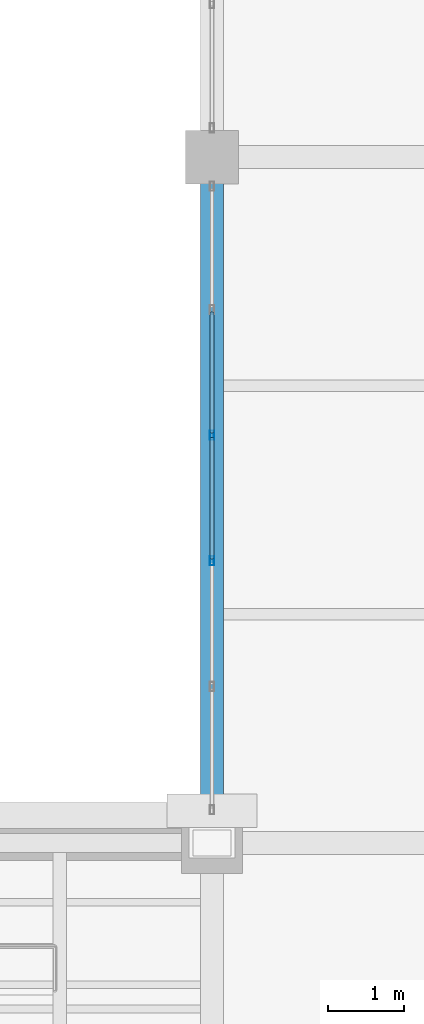
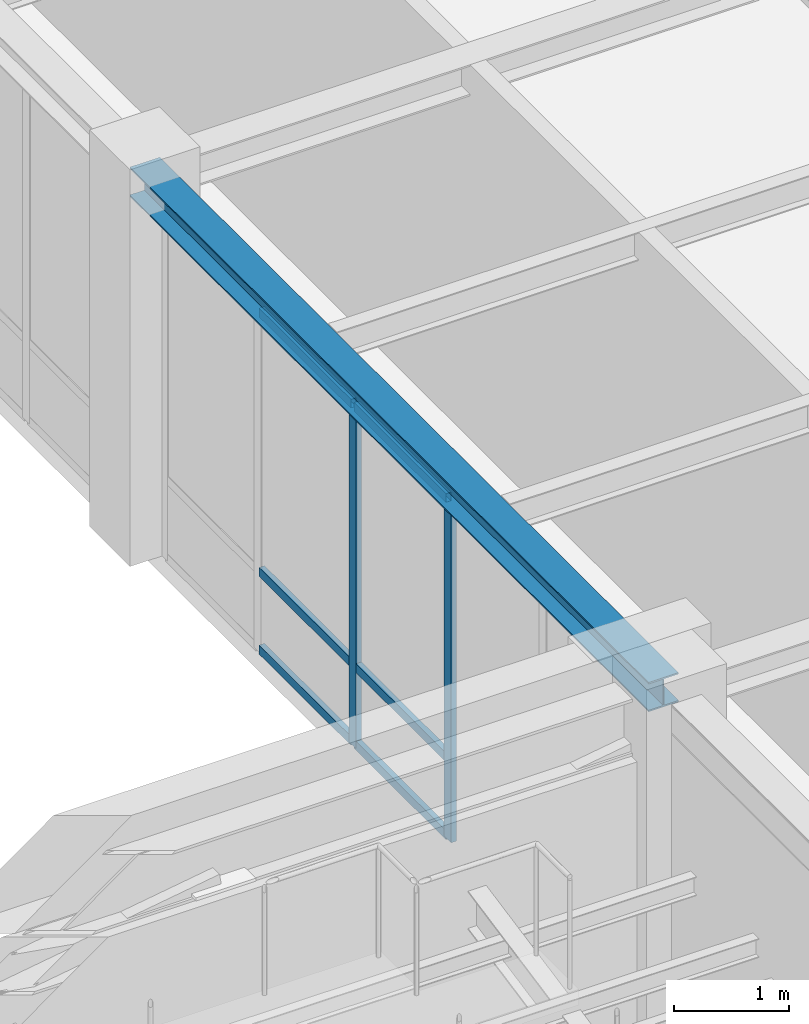
# One storey, part 36 of 108: 8 members, 1 beam, 1 element without a shape of its own.
"""IFC4 building model written with IfcOpenShell, lengths in metres."""

from ifc_helpers import new_model, si_unit, direction, frame, origin, origin_2d, place, context, subcontext, project, spatial, hollow_rectangle, i_section, extrude, material, material_profile, profile_set, type_object, element, aggregate, save


model = new_model("IFC4")

# Units and contexts
model_context = context("Model", 3, precision=1e-05, world=origin(), true_north=direction((0.0, 1.0)))
body_context = subcontext(model_context, "Body", "Model", "MODEL_VIEW")
ifc_project = project(units=[si_unit("LENGTHUNIT", "METRE"), si_unit("AREAUNIT", "SQUARE_METRE"), si_unit("VOLUMEUNIT", "CUBIC_METRE"), si_unit("PLANEANGLEUNIT", "RADIAN"), si_unit("MASSUNIT", "GRAM", prefix="KILO")], contexts=[model_context])

# Site, building, storey
site_placement = place(None, origin())
site = spatial("IfcSite", under=ifc_project, at=site_placement, CompositionType="ELEMENT")
building_placement = place(site_placement, origin())
building = spatial("IfcBuilding", under=site, at=building_placement, Name="Lykobir Media Centre", CompositionType="ELEMENT")
storey_placement = place(building_placement, frame((0.0, 0.0, 15.0)))
storey = spatial("IfcBuildingStorey", under=building, at=storey_placement, Name="L03", CompositionType="ELEMENT", Elevation=15.0)

# Curtain wall, members
ifc_material_1 = material(Name="Anodized Aluminium AW-6060", Category="aluminium")
curtain_wall_type = type_object("IfcCurtainWallType", Name="CW-COURT-B", PredefinedType="NOTDEFINED", material=ifc_material_1)
curtain_wall_placement = place(storey_placement, origin())
curtain_wall = element("IfcCurtainWall", 1, at=curtain_wall_placement, inside=storey, type_object=curtain_wall_type, Name="Curtain wall CW2-L03-0135", PredefinedType="NOTDEFINED")
ifc_material_profile_1 = material_profile(ifc_material_1, hollow_rectangle(XDim=0.054931640625, YDim=0.1201171875, WallThickness=0.003173828125, at=origin_2d()), Name="ALU MULLION 55x120")
ifc_profile_set_1 = profile_set([ifc_material_profile_1], Name="Anodized Aluminium AW-6060")
member_type_1 = type_object("IfcMemberType", Name="CWM-120", PredefinedType="MULLION", material=ifc_profile_set_1)
member_1_placement = place(storey_placement, frame((27.0, 48.700927734375, 0.0), z_axis=(0.0, 0.0, 1.0), x_axis=(-1.0, 0.0, 0.0)))
member_1 = element("IfcMember", 2, at=member_1_placement, type_object=member_type_1, Name="CW2-L03-0135 mullion 3", PredefinedType="MULLION", context=body_context, shape_type="SweptSolid", body=[
    extrude(hollow_rectangle(XDim=0.054931640625, YDim=0.1201171875, WallThickness=0.003173828125, at=origin_2d()), origin(), (0.0, 0.0, 1.0), 3.623046875),
])
member_2_placement = place(storey_placement, frame((27.0, 50.34912109375, 0.0), z_axis=(0.0, 0.0, 1.0), x_axis=(-1.0, 0.0, 0.0)))
member_2 = element("IfcMember", 3, at=member_2_placement, type_object=member_type_1, Name="CW2-L03-0135 mullion 4", PredefinedType="MULLION", context=body_context, shape_type="SweptSolid", body=[
    extrude(hollow_rectangle(XDim=0.054931640625, YDim=0.1201171875, WallThickness=0.003173828125, at=origin_2d()), origin(), (0.0, 0.0, 1.0), 3.623046875),
])
ifc_material_profile_2 = material_profile(ifc_material_1, hollow_rectangle(XDim=0.054931640625, YDim=0.094970703125, WallThickness=0.0029296875, at=origin_2d()), Name="ALU TRANSOM 55x95")
ifc_profile_set_2 = profile_set([ifc_material_profile_2], Name="Anodized Aluminium AW-6060")
member_type_2 = type_object("IfcMemberType", Name="CWT-095", PredefinedType="USERDEFINED", material=ifc_profile_set_2)
member_3_placement = place(storey_placement, frame((27.0, 48.728515625, 0.027587890625), z_axis=(0.0, 1.0, 0.0), x_axis=(-1.0, 0.0, 0.0)))
member_3 = element("IfcMember", 4, at=member_3_placement, type_object=member_type_2, Name="CW2-L03-0135 transom 3.1", ObjectType="TRANSOM", PredefinedType="USERDEFINED", context=body_context, shape_type="SweptSolid", body=[
    extrude(hollow_rectangle(XDim=0.054931640625, YDim=0.094970703125, WallThickness=0.0029296875, at=origin_2d()), origin(), (0.0, 0.0, 1.0), 1.593017578125),
])
member_4_placement = place(storey_placement, frame((27.0, 48.728515625, 0.85009765625), z_axis=(0.0, 1.0, 0.0), x_axis=(-1.0, 0.0, 0.0)))
member_4 = element("IfcMember", 5, at=member_4_placement, type_object=member_type_2, Name="CW2-L03-0135 transom 3.2", ObjectType="TRANSOM", PredefinedType="USERDEFINED", context=body_context, shape_type="SweptSolid", body=[
    extrude(hollow_rectangle(XDim=0.054931640625, YDim=0.094970703125, WallThickness=0.0029296875, at=origin_2d()), origin(), (0.0, 0.0, 1.0), 1.593017578125),
])
member_5_placement = place(storey_placement, frame((27.0, 48.728515625, 3.595458984375), z_axis=(0.0, 1.0, 0.0), x_axis=(-1.0, 0.0, 0.0)))
member_5 = element("IfcMember", 6, at=member_5_placement, type_object=member_type_2, Name="CW2-L03-0135 transom 3.3", ObjectType="TRANSOM", PredefinedType="USERDEFINED", context=body_context, shape_type="SweptSolid", body=[
    extrude(hollow_rectangle(XDim=0.054931640625, YDim=0.094970703125, WallThickness=0.0029296875, at=origin_2d()), origin(), (0.0, 0.0, 1.0), 1.593017578125),
])
member_6_placement = place(storey_placement, frame((27.0, 50.37646484375, 0.027587890625), z_axis=(0.0, 1.0, 0.0), x_axis=(-1.0, 0.0, 0.0)))
member_6 = element("IfcMember", 7, at=member_6_placement, type_object=member_type_2, Name="CW2-L03-0135 transom 4.1", ObjectType="TRANSOM", PredefinedType="USERDEFINED", context=body_context, shape_type="SweptSolid", body=[
    extrude(hollow_rectangle(XDim=0.054931640625, YDim=0.094970703125, WallThickness=0.0029296875, at=origin_2d()), origin(), (0.0, 0.0, 1.0), 1.593017578125),
])
member_7_placement = place(storey_placement, frame((27.0, 50.37646484375, 0.85009765625), z_axis=(0.0, 1.0, 0.0), x_axis=(-1.0, 0.0, 0.0)))
member_7 = element("IfcMember", 8, at=member_7_placement, type_object=member_type_2, Name="CW2-L03-0135 transom 4.2", ObjectType="TRANSOM", PredefinedType="USERDEFINED", context=body_context, shape_type="SweptSolid", body=[
    extrude(hollow_rectangle(XDim=0.054931640625, YDim=0.094970703125, WallThickness=0.0029296875, at=origin_2d()), origin(), (0.0, 0.0, 1.0), 1.593017578125),
])
member_8_placement = place(storey_placement, frame((27.0, 50.37646484375, 3.595458984375), z_axis=(0.0, 1.0, 0.0), x_axis=(-1.0, 0.0, 0.0)))
member_8 = element("IfcMember", 9, at=member_8_placement, type_object=member_type_2, Name="CW2-L03-0135 transom 4.3", ObjectType="TRANSOM", PredefinedType="USERDEFINED", context=body_context, shape_type="SweptSolid", body=[
    extrude(hollow_rectangle(XDim=0.054931640625, YDim=0.094970703125, WallThickness=0.0029296875, at=origin_2d()), origin(), (0.0, 0.0, 1.0), 1.593017578125),
])
aggregate(curtain_wall, [member_1, member_2, member_3, member_4, member_5, member_6, member_7, member_8])

# Beam
ifc_material_2 = material(Name="Steel S355", Category="steel")
ifc_material_profile_3 = material_profile(ifc_material_2, i_section(OverallWidth=0.300048828125, OverallDepth=0.31005859375, WebThickness=0.009033203125, FlangeThickness=0.015380859375, at=origin_2d()), Name="HEA 320")
ifc_profile_set_3 = profile_set([ifc_material_profile_3], Name="Steel S355")
beam_type = type_object("IfcBeamType", Name="SP-HEA320", PredefinedType="SPANDREL", material=ifc_profile_set_3)
beam_placement = place(storey_placement, frame((27.0, 45.0, 3.79296875), z_axis=(0.0, 1.0, 0.0), x_axis=(-1.0, 0.0, 0.0)))
element("IfcBeam", 10, at=beam_placement, inside=storey, type_object=beam_type, Name="Beam BM-L03-0270-0450-0270-0540-1880", PredefinedType="SPANDREL", context=body_context, shape_type="SweptSolid", body=[
    extrude(i_section(OverallWidth=0.300048828125, OverallDepth=0.31005859375, WebThickness=0.009033203125, FlangeThickness=0.015380859375, at=origin_2d()), origin(), (0.0, 0.0, 1.0), 9.0),
])

save(model, "model.ifc")
